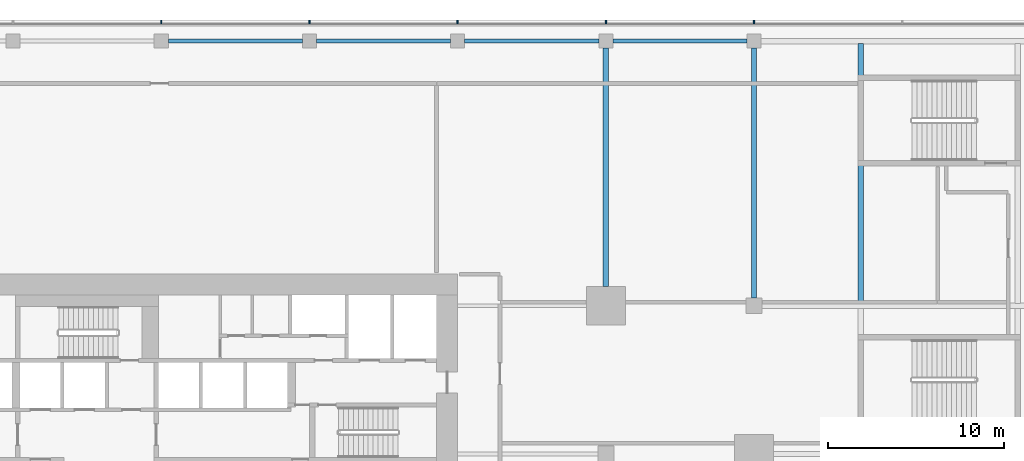
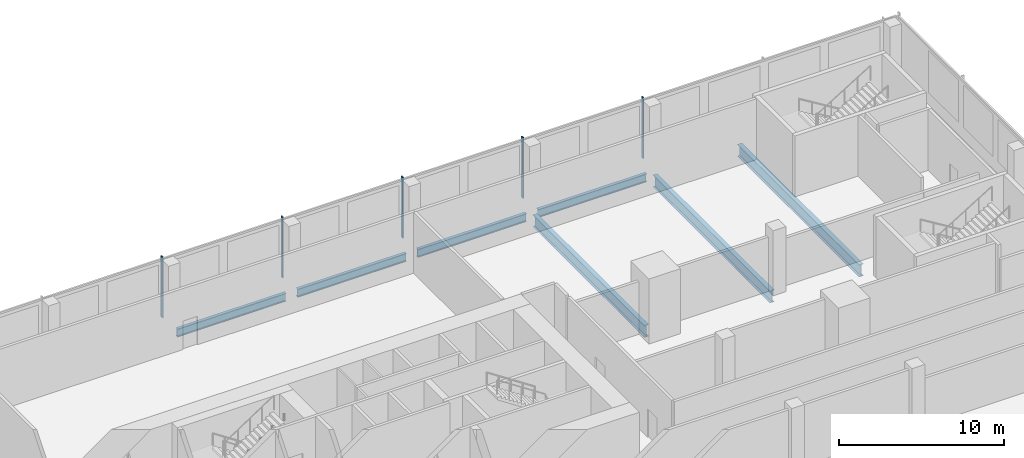
# One storey, part 20 of 39: 7 beams, 5 members, 1 element without a shape of its own.
"""IFC4 building model written with IfcOpenShell, lengths in metres."""

import ifcopenshell
import ifcopenshell.guid

model = None  # the IFC model being written
_history = None  # IfcOwnerHistory: only IFC2X3 demands one
_inside = {}  # id of a spatial element -> (the spatial element, [elements in it])
_under = {}  # id of a project, library or spatial element -> (it, [spatial elements below it])
_declared = {}  # id of a project -> (the project, [libraries it declares])
_typed = {}  # id of a type object -> (the type object, [elements of that type])
_made_of = {}  # id of a material, layer set ... -> (it, [elements and type objects made of it])


def new_model(schema):
    """Start an empty IFC model of exactly this schema.

    Asked for "IFC4X3", IfcOpenShell would pick the latest addendum, in which some entities
    have other attributes; the version numbers below select the first issue.
    IFC2X3 requires an IfcOwnerHistory on every rooted entity: one is made here for all.
    """
    global model, _history
    if schema == "IFC4X3":
        model = ifcopenshell.file(schema_version=(4, 3, 0, 0))
    else:
        model = ifcopenshell.file(schema=schema)
    _inside.clear()
    _under.clear()
    _declared.clear()
    _typed.clear()
    _made_of.clear()
    _history = None
    if model.schema == "IFC2X3":
        org = make("IfcOrganization", Name="unknown")
        user = make(
            "IfcPersonAndOrganization",
            ThePerson=make("IfcPerson", FamilyName="unknown"),
            TheOrganization=org,
        )
        app = make(
            "IfcApplication",
            ApplicationDeveloper=org,
            Version="unknown",
            ApplicationFullName="unknown",
            ApplicationIdentifier="unknown",
        )
        _history = make(
            "IfcOwnerHistory",
            OwningUser=user,
            OwningApplication=app,
            ChangeAction="ADDED",
            CreationDate=0,
        )
    return model


def make(cls, **values):
    """One entity of the class cls with the attributes given. An attribute that is None is left unset."""
    return model.create_entity(
        cls, **{name: value for name, value in values.items() if value is not None}
    )


def rooted(cls, **values):
    """An entity with a GlobalId (a new one), such as an element, a storey or a relation."""
    return make(cls, GlobalId=ifcopenshell.guid.new(), OwnerHistory=_history, **values)


def si_unit(unit_type, name, prefix=None):
    """IfcSIUnit, for example si_unit("LENGTHUNIT", "METRE", prefix="MILLI")."""
    return make("IfcSIUnit", UnitType=unit_type, Prefix=prefix, Name=name)


def assignment(units):
    """IfcUnitAssignment: the units of a project."""
    return None if units is None else make("IfcUnitAssignment", Units=units)


def point(xyz):
    """IfcCartesianPoint."""
    return None if xyz is None else make("IfcCartesianPoint", Coordinates=xyz)


def direction(xyz):
    """IfcDirection."""
    return None if xyz is None else make("IfcDirection", DirectionRatios=xyz)


def frame(location, z_axis=None, x_axis=None):
    """IfcAxis2Placement3D, a coordinate frame: its origin and axes. An axis left out is left unset."""
    return make(
        "IfcAxis2Placement3D",
        Location=point(location),
        Axis=direction(z_axis),
        RefDirection=direction(x_axis),
    )


def frame_2d(location, x_axis=None):
    """IfcAxis2Placement2D, a coordinate frame in the plane: its origin and x axis."""
    return make(
        "IfcAxis2Placement2D", Location=point(location), RefDirection=direction(x_axis)
    )


def origin():
    """The frame at (0, 0, 0) with its axes left unset."""
    return frame((0.0, 0.0, 0.0))


def origin_2d():
    """The frame at (0, 0) in the plane with its x axis left unset."""
    return frame_2d((0.0, 0.0))


def place(relative_to, where):
    """IfcLocalPlacement: puts the frame where relative to a parent placement (None: the world)."""
    return make(
        "IfcLocalPlacement", PlacementRelTo=relative_to, RelativePlacement=where
    )


def context(
    kind, dimensions, precision=None, world=None, true_north=None, identifier=None
):
    """IfcGeometricRepresentationContext, for example the 3D "Model" context."""
    return make(
        "IfcGeometricRepresentationContext",
        ContextIdentifier=identifier,
        ContextType=kind,
        CoordinateSpaceDimension=dimensions,
        Precision=precision,
        WorldCoordinateSystem=world,
        TrueNorth=true_north,
    )


def subcontext(parent, identifier, kind, view, scale=None):
    """IfcGeometricRepresentationSubContext, for example "Body" below "Model"."""
    return make(
        "IfcGeometricRepresentationSubContext",
        ContextIdentifier=identifier,
        ContextType=kind,
        ParentContext=parent,
        TargetScale=scale,
        TargetView=view,
    )


def project(units=None, contexts=None):
    """IfcProject with its units and contexts."""
    return rooted(
        "IfcProject",
        Name="project",
        RepresentationContexts=contexts,
        UnitsInContext=assignment(units),
    )


def spatial(cls, under=None, at=None, **own):
    """A site, building, storey or space (cls), placed at a placement, below another one or the project."""
    s = rooted(cls, ObjectPlacement=at, **own)
    if under is not None:
        _under.setdefault(under.id(), (under, []))[1].append(s)
    return s


def profile(cls, at=None, kind="AREA", **sizes):
    """A parametric profile (cls). Its sizes go by their IFC names, for example OverallWidth=200.0."""
    return make(cls, ProfileType=kind, Position=at, **sizes)


def rectangle(**sizes):
    """IfcRectangleProfileDef."""
    return profile("IfcRectangleProfileDef", **sizes)


def i_section(**sizes):
    """IfcIShapeProfileDef."""
    return profile("IfcIShapeProfileDef", **sizes)


def extrude(swept, where, along, depth):
    """IfcExtrudedAreaSolid: the profile swept, set in the frame where, extruded along a direction by depth."""
    return make(
        "IfcExtrudedAreaSolid",
        SweptArea=swept,
        Position=where,
        ExtrudedDirection=direction(along),
        Depth=depth,
    )


def shape(context_of_items, identifier, shape_type, items):
    """IfcShapeRepresentation: the items that make up one representation, for example the "Body"."""
    return make(
        "IfcShapeRepresentation",
        ContextOfItems=context_of_items,
        RepresentationIdentifier=identifier,
        RepresentationType=shape_type,
        Items=items,
    )


def material(Name=None, Category=None):
    """IfcMaterial."""
    return make("IfcMaterial", Name=Name, Category=Category)


def material_profile(
    of_material, cross_section, Name=None, Category=None, Priority=None
):
    """IfcMaterialProfile: a cross section and its material."""
    return make(
        "IfcMaterialProfile",
        Name=Name,
        Material=of_material,
        Profile=cross_section,
        Priority=Priority,
        Category=Category,
    )


def profile_set(profiles, Name=None, composite=None):
    """IfcMaterialProfileSet."""
    return make(
        "IfcMaterialProfileSet",
        Name=Name,
        MaterialProfiles=profiles,
        CompositeProfile=composite,
    )


def made_of(thing, what):
    """Note that an element or type object is made of a material, layer set ...; save() writes the relation."""
    if what is not None:
        _made_of.setdefault(what.id(), (what, []))[1].append(thing)
    return thing


def type_object(cls, material=None, **own):
    """A type object (cls), such as IfcWallType, which elements share."""
    return made_of(rooted(cls, **own), material)


def element(
    cls,
    number,
    at=None,
    inside=None,
    cuts=None,
    type_object=None,
    material=None,
    context=None,
    identifier="Body",
    shape_type=None,
    held_by="IfcProductDefinitionShape",
    body=None,
    shapes=None,
    **own,
):
    """One element of the class cls, such as IfcWall. Its Tag is "e" and its number.

    at: its placement. inside: the storey or other place that contains it. cuts: it is an
    opening in that element (IfcRelVoidsElement). A single representation is given by context,
    identifier, shape_type and body (its items); several are given by shapes. held_by: the class
    of the entity that holds the representations. save() writes the other relations.
    """
    e = rooted(cls, Tag="e%d" % number, ObjectPlacement=at, **own)
    if body is not None:
        shapes = [shape(context, identifier, shape_type, body)]
    if shapes is not None:
        e.Representation = make(held_by, Representations=shapes)
    if inside is not None:
        _inside.setdefault(inside.id(), (inside, []))[1].append(e)
    if cuts is not None:
        rooted(
            "IfcRelVoidsElement", RelatingBuildingElement=cuts, RelatedOpeningElement=e
        )
    if type_object is not None:
        _typed.setdefault(type_object.id(), (type_object, []))[1].append(e)
    return made_of(e, material)


def aggregate(whole, parts):
    """IfcRelAggregates: a whole, such as a stair, and the parts it consists of."""
    return rooted("IfcRelAggregates", RelatingObject=whole, RelatedObjects=parts)


def save(model, path):
    """Write the relations noted so far, then the file.

    IfcRelAggregates (storeys below a building ...), IfcRelContainedInSpatialStructure (elements
    in a storey), IfcRelDefinesByType, IfcRelAssociatesMaterial and IfcRelDeclares: one each for
    every whole, place, type object, material and project.
    """
    for whole, parts in _under.values():
        aggregate(whole, parts)
    for where, things in _inside.values():
        rooted(
            "IfcRelContainedInSpatialStructure",
            RelatedElements=things,
            RelatingStructure=where,
        )
    for kind, things in _typed.values():
        rooted("IfcRelDefinesByType", RelatedObjects=things, RelatingType=kind)
    for what, things in _made_of.values():
        rooted("IfcRelAssociatesMaterial", RelatedObjects=things, RelatingMaterial=what)
    for by, libraries in _declared.values():
        rooted("IfcRelDeclares", RelatingContext=by, RelatedDefinitions=libraries)
    model.write(path)


model = new_model("IFC4")

# Units and contexts
model_context = context("Model", 3, precision=1e-05, world=origin(), true_north=direction((0.0, 1.0)))
body_context = subcontext(model_context, "Body", "Model", "MODEL_VIEW")
ifc_project = project(units=[si_unit("LENGTHUNIT", "METRE"), si_unit("AREAUNIT", "SQUARE_METRE"), si_unit("VOLUMEUNIT", "CUBIC_METRE"), si_unit("PLANEANGLEUNIT", "RADIAN"), si_unit("MASSUNIT", "GRAM", prefix="KILO")], contexts=[model_context])

# Site, building, storey
site_placement = place(None, origin())
site = spatial("IfcSite", under=ifc_project, at=site_placement, CompositionType="ELEMENT")
building_placement = place(site_placement, origin())
building = spatial("IfcBuilding", under=site, at=building_placement, Name="Saffron Gate Tower", CompositionType="ELEMENT")
storey_placement = place(building_placement, frame((0.0, 0.0, 14.39990234375)))
storey = spatial("IfcBuildingStorey", under=building, at=storey_placement, Name="L02", CompositionType="ELEMENT", Elevation=14.39990234375)

# Beams
ifc_material_1 = material(Name="Structural steel S355", Category="steel")
ifc_material_profile_1 = material_profile(ifc_material_1, i_section(OverallWidth=0.219970703125, OverallDepth=0.60009765625, WebThickness=0.011962890625, FlangeThickness=0.01904296875, FilletRadius=0.02392578125, at=origin_2d()))
ifc_profile_set_1 = profile_set([ifc_material_profile_1], Name="Structural steel S355")
beam_type_1 = type_object("IfcBeamType", Name="B15 IPE 600", PredefinedType="BEAM", material=ifc_profile_set_1)
beam_1_placement = place(storey_placement, frame((92.199951171875, 88.800048828125, -0.599853515625), z_axis=(1.0, 0.0, 0.0), x_axis=(0.0, 1.0, 0.0)))
element("IfcBeam", 1, at=beam_1_placement, inside=storey, type_object=beam_type_1, Name="B15 PODIUM EDGE BEAM", PredefinedType="BEAM", context=body_context, shape_type="SweptSolid", body=[
    extrude(i_section(OverallWidth=0.219970703125, OverallDepth=0.60009765625, WebThickness=0.011962890625, FlangeThickness=0.01904296875, FilletRadius=0.02392578125, at=origin_2d()), origin(), (0.0, 0.0, 1.0), 7.60009765625),
])
beam_2_placement = place(storey_placement, frame((100.60009765625, 88.800048828125, -0.599853515625), z_axis=(1.0, 0.0, 0.0), x_axis=(0.0, 1.0, 0.0)))
element("IfcBeam", 2, at=beam_2_placement, inside=storey, type_object=beam_type_1, Name="B15 PODIUM EDGE BEAM", PredefinedType="BEAM", context=body_context, shape_type="SweptSolid", body=[
    extrude(i_section(OverallWidth=0.219970703125, OverallDepth=0.60009765625, WebThickness=0.011962890625, FlangeThickness=0.01904296875, FilletRadius=0.02392578125, at=origin_2d()), origin(), (0.0, 0.0, 1.0), 7.599853515625),
])
for number, where, z_axis, x_axis, name in (
    (3, (109.0, 88.800048828125, -0.599853515625), (1.0, 0.0, 0.0), (0.0, 1.0, 0.0), "B15 PODIUM EDGE BEAM"),
    (4, (117.39990234375, 88.800048828125, -0.599853515625), (1.0, 0.0, 0.0), (0.0, 1.0, 0.0), "B15 PODIUM EDGE BEAM"),
):
    element("IfcBeam", number, at=place(storey_placement, frame(where, z_axis=z_axis, x_axis=x_axis)), inside=storey, type_object=beam_type_1, Name=name, PredefinedType="BEAM", context=body_context, shape_type="SweptSolid", body=[
        extrude(i_section(OverallWidth=0.219970703125, OverallDepth=0.60009765625, WebThickness=0.011962890625, FlangeThickness=0.01904296875, FilletRadius=0.02392578125, at=origin_2d()), origin(), (0.0, 0.0, 1.0), 7.60009765625),
    ])
ifc_material_profile_2 = material_profile(ifc_material_1, i_section(OverallWidth=0.300048828125, OverallDepth=0.889892578125, WebThickness=0.01611328125, FlangeThickness=0.030029296875, FilletRadius=0.030029296875, at=origin_2d()))
ifc_profile_set_2 = profile_set([ifc_material_profile_2], Name="Structural steel S355")
beam_type_2 = type_object("IfcBeamType", Name="B19 HEA 900", PredefinedType="BEAM", material=ifc_profile_set_2)
beam_3_placement = place(storey_placement, frame((117.0, 88.39990234375, -0.744873046875), z_axis=(0.0, -1.0, 0.0), x_axis=(1.0, 0.0, 0.0)))
element("IfcBeam", 5, at=beam_3_placement, inside=storey, type_object=beam_type_2, Name="B19 PODIUM RING GIRDER", PredefinedType="BEAM", context=body_context, shape_type="SweptSolid", body=[
    extrude(i_section(OverallWidth=0.300048828125, OverallDepth=0.889892578125, WebThickness=0.01611328125, FlangeThickness=0.030029296875, FilletRadius=0.030029296875, at=origin_2d()), origin(), (0.0, 0.0, 1.0), 13.5),
])
beam_4_placement = place(storey_placement, frame((125.39990234375, 88.39990234375, -0.744873046875), z_axis=(0.0, -1.0, 0.0), x_axis=(1.0, 0.0, 0.0)))
element("IfcBeam", 6, at=beam_4_placement, inside=storey, type_object=beam_type_2, Name="B19 PODIUM RING GIRDER", PredefinedType="BEAM", context=body_context, shape_type="SweptSolid", body=[
    extrude(i_section(OverallWidth=0.300048828125, OverallDepth=0.889892578125, WebThickness=0.01611328125, FlangeThickness=0.030029296875, FilletRadius=0.030029296875, at=origin_2d()), origin(), (0.0, 0.0, 1.0), 14.14990234375),
])
ifc_material_profile_3 = material_profile(ifc_material_1, i_section(OverallWidth=0.300048828125, OverallDepth=0.89990234375, WebThickness=0.0185546875, FlangeThickness=0.034912109375, FilletRadius=0.030029296875, at=origin_2d()))
ifc_profile_set_3 = profile_set([ifc_material_profile_3], Name="Structural steel S355")
beam_type_3 = type_object("IfcBeamType", Name="B20 HEB 900", PredefinedType="BEAM", material=ifc_profile_set_3)
beam_5_placement = place(storey_placement, frame((131.449951171875, 73.93994140625, -0.75), z_axis=(0.0, 1.0, 0.0), x_axis=(-1.0, 0.0, 0.0)))
element("IfcBeam", 7, at=beam_5_placement, inside=storey, type_object=beam_type_3, Name="B20 STAIR ENCLOSURE HEADER BEAM", PredefinedType="BEAM", context=body_context, shape_type="SweptSolid", body=[
    extrude(i_section(OverallWidth=0.300048828125, OverallDepth=0.89990234375, WebThickness=0.0185546875, FlangeThickness=0.034912109375, FilletRadius=0.030029296875, at=origin_2d()), origin(), (0.0, 0.0, 1.0), 14.719970703125),
])

# Curtain wall, members
ifc_material_2 = material(Name="Aluminium, bronze anodised", Category="aluminium")
curtain_wall_type = type_object("IfcCurtainWallType", Name="CWS5 curtain wall podium ring base", PredefinedType="NOTDEFINED", material=ifc_material_2)
curtain_wall_placement = place(storey_placement, origin())
curtain_wall = element("IfcCurtainWall", 8, at=curtain_wall_placement, inside=storey, type_object=curtain_wall_type, Name="CWS5 run 3", PredefinedType="NOTDEFINED")
ifc_material_profile_4 = material_profile(ifc_material_2, rectangle(XDim=0.199951171875, YDim=0.080078125, at=origin_2d()))
ifc_profile_set_4 = profile_set([ifc_material_profile_4], Name="Aluminium, bronze anodised")
member_type = type_object("IfcMemberType", Name="CWS5 mullion 80x200", PredefinedType="MULLION", material=ifc_profile_set_4)
member_1_placement = place(storey_placement, frame((125.39990234375, 89.89990234375, 0.0), z_axis=(0.0, 0.0, 1.0), x_axis=(0.0, -1.0, 0.0)))
member_1 = element("IfcMember", 9, at=member_1_placement, type_object=member_type, Name="CWS5 mullion 4", PredefinedType="MULLION", context=body_context, shape_type="SweptSolid", body=[
    extrude(rectangle(XDim=0.199951171875, YDim=0.080078125, at=origin_2d()), origin(), (0.0, 0.0, 1.0), 4.5),
])
member_2_placement = place(storey_placement, frame((117.0, 89.89990234375, 0.0), z_axis=(0.0, 0.0, 1.0), x_axis=(0.0, -1.0, 0.0)))
member_2 = element("IfcMember", 10, at=member_2_placement, type_object=member_type, Name="CWS5 mullion 5", PredefinedType="MULLION", context=body_context, shape_type="SweptSolid", body=[
    extrude(rectangle(XDim=0.199951171875, YDim=0.080078125, at=origin_2d()), origin(), (0.0, 0.0, 1.0), 4.5),
])
member_3_placement = place(storey_placement, frame((108.60009765625, 89.89990234375, 0.0), z_axis=(0.0, 0.0, 1.0), x_axis=(0.0, -1.0, 0.0)))
member_3 = element("IfcMember", 11, at=member_3_placement, type_object=member_type, Name="CWS5 mullion 6", PredefinedType="MULLION", context=body_context, shape_type="SweptSolid", body=[
    extrude(rectangle(XDim=0.199951171875, YDim=0.080078125, at=origin_2d()), origin(), (0.0, 0.0, 1.0), 4.5),
])
member_4_placement = place(storey_placement, frame((100.199951171875, 89.89990234375, 0.0), z_axis=(0.0, 0.0, 1.0), x_axis=(0.0, -1.0, 0.0)))
member_4 = element("IfcMember", 12, at=member_4_placement, type_object=member_type, Name="CWS5 mullion 7", PredefinedType="MULLION", context=body_context, shape_type="SweptSolid", body=[
    extrude(rectangle(XDim=0.199951171875, YDim=0.080078125, at=origin_2d()), origin(), (0.0, 0.0, 1.0), 4.5),
])
member_5_placement = place(storey_placement, frame((91.800048828125, 89.89990234375, 0.0), z_axis=(0.0, 0.0, 1.0), x_axis=(0.0, -1.0, 0.0)))
member_5 = element("IfcMember", 13, at=member_5_placement, type_object=member_type, Name="CWS5 mullion 8", PredefinedType="MULLION", context=body_context, shape_type="SweptSolid", body=[
    extrude(rectangle(XDim=0.199951171875, YDim=0.080078125, at=origin_2d()), origin(), (0.0, 0.0, 1.0), 4.5),
])
aggregate(curtain_wall, [member_1, member_2, member_3, member_4, member_5])

save(model, "model.ifc")
